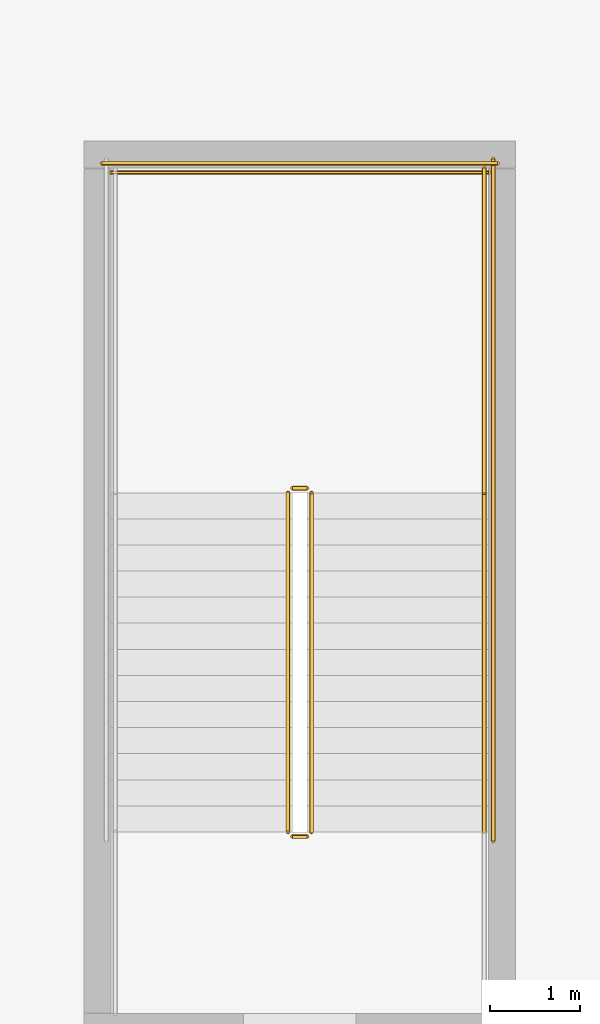
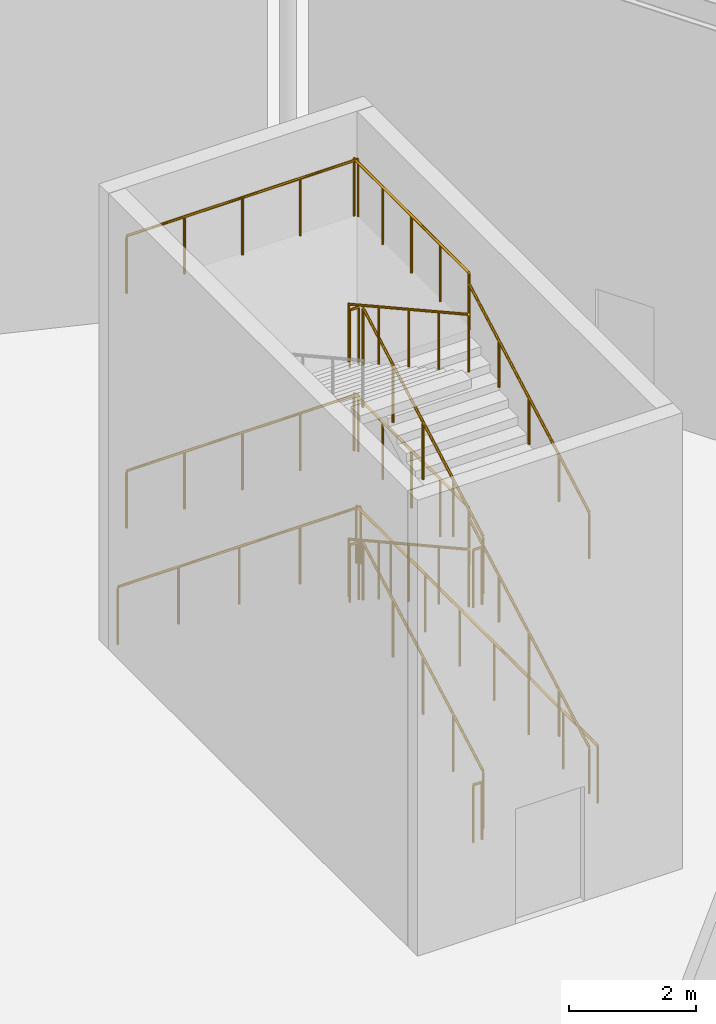
# One storey, part 48 of 48: 16 railings.
"""IFC4 building model written with IfcOpenShell, lengths in metres."""

from ifc_helpers import new_model, si_unit, direction, frame, origin, origin_2d, place, context, subcontext, project, spatial, circle, extrude, material, layer, layer_set, type_object, element, save


model = new_model("IFC4")

# Units and contexts
model_context = context("Model", 3, precision=1e-05, world=origin(), true_north=direction((0.0, 1.0)))
body_context = subcontext(model_context, "Body", "Model", "MODEL_VIEW")
ifc_project = project(units=[si_unit("LENGTHUNIT", "METRE"), si_unit("AREAUNIT", "SQUARE_METRE"), si_unit("VOLUMEUNIT", "CUBIC_METRE"), si_unit("PLANEANGLEUNIT", "RADIAN"), si_unit("MASSUNIT", "GRAM", prefix="KILO")], contexts=[model_context])

# Site, building, storey
site_placement = place(None, origin())
site = spatial("IfcSite", under=ifc_project, at=site_placement, CompositionType="ELEMENT")
building_placement = place(site_placement, origin())
building = spatial("IfcBuilding", under=site, at=building_placement, Name="Sarnbrook Museum", CompositionType="ELEMENT")
storey_placement = place(building_placement, frame((0.0, 0.0, 19.10009765625)))
storey = spatial("IfcBuildingStorey", under=building, at=storey_placement, Name="L04", CompositionType="ELEMENT", Elevation=19.10009765625)

# Railings
ifc_material = material(Name="Brushed Stainless Steel Grade 316", Category="steel")
ifc_layer_1 = layer(ifc_material, 0.050048828125)
ifc_layer_set_1 = layer_set([ifc_layer_1], Name="Brushed Stainless Steel Grade 316")
railing_type_1 = type_object("IfcRailingType", Name="Guard_Int1120", PredefinedType="BALUSTRADE", material=ifc_layer_set_1)
railing_1_placement = place(storey_placement, frame((143.929931640625, 82.52001953125, 0.16064453125)))
element("IfcRailing", 1, at=railing_1_placement, inside=storey, type_object=railing_type_1, Name="L04 ST7 stair guard 1", PredefinedType="BALUSTRADE", context=body_context, shape_type="SweptSolid", body=[
    extrude(circle(Radius=0.02392578125, at=origin_2d()), frame((0.0, 0.0, 1.09619140625), z_axis=(0.0, 0.874659101714, 0.484738543742), x_axis=(-1.0, 0.0, 0.0)), (0.0, 0.0, 1.0), 4.310302734375),
    extrude(circle(Radius=0.02099609375, at=origin_2d()), origin(), (0.0, 0.0, 1.0), 1.072021484375),
    extrude(circle(Radius=0.02099609375, at=origin_2d()), frame((0.0, 0.9423828125, 0.5224609375)), (0.0, 0.0, 1.0), 1.072021484375),
    extrude(circle(Radius=0.02099609375, at=origin_2d()), frame((0.0, 1.885009765625, 1.044677734375)), (0.0, 0.0, 1.0), 1.072021484375),
    extrude(circle(Radius=0.02099609375, at=origin_2d()), frame((0.0, 2.82763671875, 1.56689453125)), (0.0, 0.0, 1.0), 1.072021484375),
    extrude(circle(Radius=0.02099609375, at=origin_2d()), frame((0.0, 3.77001953125, 2.08935546875)), (0.0, 0.0, 1.0), 1.072021484375),
])
railing_2_placement = place(storey_placement, frame((143.8798828125, 86.340087890625, 2.25)))
element("IfcRailing", 2, at=railing_2_placement, inside=storey, type_object=railing_type_1, Name="L04 ST7 stair guard 2", PredefinedType="BALUSTRADE", context=body_context, shape_type="SweptSolid", body=[
    extrude(circle(Radius=0.02392578125, at=origin_2d()), frame((0.0, 0.0, 1.09619140625), z_axis=(-1.0, 0.0, 0.0), x_axis=(0.0, -1.0, 0.0)), (0.0, 0.0, 1.0), 0.159912109375),
    extrude(circle(Radius=0.02099609375, at=origin_2d()), origin(), (0.0, 0.0, 1.0), 1.072021484375),
    extrude(circle(Radius=0.02099609375, at=origin_2d()), frame((-0.159912109375, 0.0, 0.0)), (0.0, 0.0, 1.0), 1.072021484375),
])
railing_3_placement = place(storey_placement, frame((145.85009765625, 86.2900390625, 2.25)))
element("IfcRailing", 3, at=railing_3_placement, inside=storey, type_object=railing_type_1, Name="L04 ST7 stair guard 3", PredefinedType="BALUSTRADE", context=body_context, shape_type="SweptSolid", body=[
    extrude(circle(Radius=0.02392578125, at=origin_2d()), frame((0.0, 0.0, 1.09619140625), z_axis=(0.0, 1.0, 0.0), x_axis=(-1.0, 0.0, 0.0)), (0.0, 0.0, 1.0), 3.60986328125),
    extrude(circle(Radius=0.02099609375, at=origin_2d()), origin(), (0.0, 0.0, 1.0), 1.072021484375),
    extrude(circle(Radius=0.02099609375, at=origin_2d()), frame((0.0, 0.90234375, 0.0)), (0.0, 0.0, 1.0), 1.072021484375),
    extrude(circle(Radius=0.02099609375, at=origin_2d()), frame((0.0, 1.804931640625, 0.0)), (0.0, 0.0, 1.0), 1.072021484375),
    extrude(circle(Radius=0.02099609375, at=origin_2d()), frame((0.0, 2.70751953125, 0.0)), (0.0, 0.0, 1.0), 1.072021484375),
    extrude(circle(Radius=0.02099609375, at=origin_2d()), frame((0.0, 3.60986328125, 0.0)), (0.0, 0.0, 1.0), 1.072021484375),
])
railing_4_placement = place(storey_placement, frame((145.89990234375, 89.85009765625, 2.25)))
element("IfcRailing", 4, at=railing_4_placement, inside=storey, type_object=railing_type_1, Name="L04 ST7 stair guard 5", PredefinedType="BALUSTRADE", context=body_context, shape_type="SweptSolid", body=[
    extrude(circle(Radius=0.02392578125, at=origin_2d()), frame((0.0, 0.0, 1.09619140625), z_axis=(-1.0, 0.0, 0.0), x_axis=(0.0, -1.0, 0.0)), (0.0, 0.0, 1.0), 4.199951171875),
    extrude(circle(Radius=0.02099609375, at=origin_2d()), origin(), (0.0, 0.0, 1.0), 1.072021484375),
    extrude(circle(Radius=0.02099609375, at=origin_2d()), frame((-1.050048828125, 0.0, 0.0)), (0.0, 0.0, 1.0), 1.072021484375),
    extrude(circle(Radius=0.02099609375, at=origin_2d()), frame((-2.10009765625, 0.0, 0.0)), (0.0, 0.0, 1.0), 1.072021484375),
    extrude(circle(Radius=0.02099609375, at=origin_2d()), frame((-3.14990234375, 0.0, 0.0)), (0.0, 0.0, 1.0), 1.072021484375),
    extrude(circle(Radius=0.02099609375, at=origin_2d()), frame((-4.199951171875, 0.0, 0.0)), (0.0, 0.0, 1.0), 1.072021484375),
])
railing_5_placement = place(storey_placement, frame((143.669921875, 86.2900390625, 2.41064453125)))
element("IfcRailing", 5, at=railing_5_placement, inside=storey, type_object=railing_type_1, Name="L04 ST7 stair guard 6", PredefinedType="BALUSTRADE", context=body_context, shape_type="SweptSolid", body=[
    extrude(circle(Radius=0.02392578125, at=origin_2d()), frame((0.0, 0.0, 1.09619140625), z_axis=(0.0, -0.874659101714, 0.484738543742), x_axis=(1.0, 0.0, 0.0)), (0.0, 0.0, 1.0), 4.310302734375),
    extrude(circle(Radius=0.02099609375, at=origin_2d()), origin(), (0.0, 0.0, 1.0), 1.072021484375),
    extrude(circle(Radius=0.02099609375, at=origin_2d()), frame((0.0, -0.9423828125, 0.5224609375)), (0.0, 0.0, 1.0), 1.072021484375),
    extrude(circle(Radius=0.02099609375, at=origin_2d()), frame((0.0, -1.885009765625, 1.044677734375)), (0.0, 0.0, 1.0), 1.072021484375),
    extrude(circle(Radius=0.02099609375, at=origin_2d()), frame((0.0, -2.82763671875, 1.56689453125)), (0.0, 0.0, 1.0), 1.072021484375),
    extrude(circle(Radius=0.02099609375, at=origin_2d()), frame((0.0, -3.77001953125, 2.08935546875)), (0.0, 0.0, 1.0), 1.072021484375),
])
railing_6_placement = place(storey_placement, frame((143.8798828125, 82.469970703125, 4.5)))
element("IfcRailing", 6, at=railing_6_placement, inside=storey, type_object=railing_type_1, Name="L04 ST7 stair guard 7", PredefinedType="BALUSTRADE", context=body_context, shape_type="SweptSolid", body=[
    extrude(circle(Radius=0.02392578125, at=origin_2d()), frame((0.0, 0.0, 1.09619140625), z_axis=(-1.0, 0.0, 0.0), x_axis=(0.0, -1.0, 0.0)), (0.0, 0.0, 1.0), 0.159912109375),
    extrude(circle(Radius=0.02099609375, at=origin_2d()), origin(), (0.0, 0.0, 1.0), 1.072021484375),
    extrude(circle(Radius=0.02099609375, at=origin_2d()), frame((-0.159912109375, 0.0, 0.0)), (0.0, 0.0, 1.0), 1.072021484375),
])
railing_7_placement = place(storey_placement, frame((143.929931640625, 82.52001953125, 4.66064453125)))
element("IfcRailing", 7, at=railing_7_placement, inside=storey, type_object=railing_type_1, Name="L04 ST7 stair guard 10", PredefinedType="BALUSTRADE", context=body_context, shape_type="SweptSolid", body=[
    extrude(circle(Radius=0.02392578125, at=origin_2d()), frame((0.0, 0.0, 1.09619140625), z_axis=(0.0, 0.874659101714, 0.484738543742), x_axis=(-1.0, 0.0, 0.0)), (0.0, 0.0, 1.0), 4.310302734375),
    extrude(circle(Radius=0.02099609375, at=origin_2d()), origin(), (0.0, 0.0, 1.0), 1.072021484375),
    extrude(circle(Radius=0.02099609375, at=origin_2d()), frame((0.0, 0.9423828125, 0.5224609375)), (0.0, 0.0, 1.0), 1.072021484375),
    extrude(circle(Radius=0.02099609375, at=origin_2d()), frame((0.0, 1.885009765625, 1.044677734375)), (0.0, 0.0, 1.0), 1.072021484375),
    extrude(circle(Radius=0.02099609375, at=origin_2d()), frame((0.0, 2.82763671875, 1.56689453125)), (0.0, 0.0, 1.0), 1.072021484375),
    extrude(circle(Radius=0.02099609375, at=origin_2d()), frame((0.0, 3.77001953125, 2.08935546875)), (0.0, 0.0, 1.0), 1.072021484375),
])
railing_8_placement = place(storey_placement, frame((143.8798828125, 86.340087890625, 6.75)))
element("IfcRailing", 8, at=railing_8_placement, inside=storey, type_object=railing_type_1, Name="L04 ST7 stair guard 11", PredefinedType="BALUSTRADE", context=body_context, shape_type="SweptSolid", body=[
    extrude(circle(Radius=0.02392578125, at=origin_2d()), frame((0.0, 0.0, 1.09619140625), z_axis=(-1.0, 0.0, 0.0), x_axis=(0.0, -1.0, 0.0)), (0.0, 0.0, 1.0), 0.159912109375),
    extrude(circle(Radius=0.02099609375, at=origin_2d()), origin(), (0.0, 0.0, 1.0), 1.072021484375),
    extrude(circle(Radius=0.02099609375, at=origin_2d()), frame((-0.159912109375, 0.0, 0.0)), (0.0, 0.0, 1.0), 1.072021484375),
])
railing_9_placement = place(storey_placement, frame((145.85009765625, 86.2900390625, 6.75)))
element("IfcRailing", 9, at=railing_9_placement, inside=storey, type_object=railing_type_1, Name="L04 ST7 stair guard 12", PredefinedType="BALUSTRADE", context=body_context, shape_type="SweptSolid", body=[
    extrude(circle(Radius=0.02392578125, at=origin_2d()), frame((0.0, 0.0, 1.09619140625), z_axis=(0.0, 1.0, 0.0), x_axis=(-1.0, 0.0, 0.0)), (0.0, 0.0, 1.0), 3.60986328125),
    extrude(circle(Radius=0.02099609375, at=origin_2d()), origin(), (0.0, 0.0, 1.0), 1.072021484375),
    extrude(circle(Radius=0.02099609375, at=origin_2d()), frame((0.0, 0.90234375, 0.0)), (0.0, 0.0, 1.0), 1.072021484375),
    extrude(circle(Radius=0.02099609375, at=origin_2d()), frame((0.0, 1.804931640625, 0.0)), (0.0, 0.0, 1.0), 1.072021484375),
    extrude(circle(Radius=0.02099609375, at=origin_2d()), frame((0.0, 2.70751953125, 0.0)), (0.0, 0.0, 1.0), 1.072021484375),
    extrude(circle(Radius=0.02099609375, at=origin_2d()), frame((0.0, 3.60986328125, 0.0)), (0.0, 0.0, 1.0), 1.072021484375),
])
railing_10_placement = place(storey_placement, frame((145.89990234375, 89.85009765625, 6.75)))
element("IfcRailing", 10, at=railing_10_placement, inside=storey, type_object=railing_type_1, Name="L04 ST7 stair guard 14", PredefinedType="BALUSTRADE", context=body_context, shape_type="SweptSolid", body=[
    extrude(circle(Radius=0.02392578125, at=origin_2d()), frame((0.0, 0.0, 1.09619140625), z_axis=(-1.0, 0.0, 0.0), x_axis=(0.0, -1.0, 0.0)), (0.0, 0.0, 1.0), 4.199951171875),
    extrude(circle(Radius=0.02099609375, at=origin_2d()), origin(), (0.0, 0.0, 1.0), 1.072021484375),
    extrude(circle(Radius=0.02099609375, at=origin_2d()), frame((-1.050048828125, 0.0, 0.0)), (0.0, 0.0, 1.0), 1.072021484375),
    extrude(circle(Radius=0.02099609375, at=origin_2d()), frame((-2.10009765625, 0.0, 0.0)), (0.0, 0.0, 1.0), 1.072021484375),
    extrude(circle(Radius=0.02099609375, at=origin_2d()), frame((-3.14990234375, 0.0, 0.0)), (0.0, 0.0, 1.0), 1.072021484375),
    extrude(circle(Radius=0.02099609375, at=origin_2d()), frame((-4.199951171875, 0.0, 0.0)), (0.0, 0.0, 1.0), 1.072021484375),
])
railing_11_placement = place(storey_placement, frame((143.669921875, 86.2900390625, 6.91064453125)))
element("IfcRailing", 11, at=railing_11_placement, inside=storey, type_object=railing_type_1, Name="L04 ST7 stair guard 15", PredefinedType="BALUSTRADE", context=body_context, shape_type="SweptSolid", body=[
    extrude(circle(Radius=0.02392578125, at=origin_2d()), frame((0.0, 0.0, 1.09619140625), z_axis=(0.0, -0.874659101714, 0.484738543742), x_axis=(1.0, 0.0, 0.0)), (0.0, 0.0, 1.0), 4.310302734375),
    extrude(circle(Radius=0.02099609375, at=origin_2d()), origin(), (0.0, 0.0, 1.0), 1.072021484375),
    extrude(circle(Radius=0.02099609375, at=origin_2d()), frame((0.0, -0.9423828125, 0.5224609375)), (0.0, 0.0, 1.0), 1.072021484375),
    extrude(circle(Radius=0.02099609375, at=origin_2d()), frame((0.0, -1.885009765625, 1.044677734375)), (0.0, 0.0, 1.0), 1.072021484375),
    extrude(circle(Radius=0.02099609375, at=origin_2d()), frame((0.0, -2.82763671875, 1.56689453125)), (0.0, 0.0, 1.0), 1.072021484375),
    extrude(circle(Radius=0.02099609375, at=origin_2d()), frame((0.0, -3.77001953125, 2.08935546875)), (0.0, 0.0, 1.0), 1.072021484375),
])
railing_12_placement = place(storey_placement, frame((143.8798828125, 82.469970703125, 0.0)))
element("IfcRailing", 12, at=railing_12_placement, inside=storey, type_object=railing_type_1, Name="L04 ST7 stair guard 16", PredefinedType="BALUSTRADE", context=body_context, shape_type="SweptSolid", body=[
    extrude(circle(Radius=0.02392578125, at=origin_2d()), frame((0.0, 0.0, 1.09619140625), z_axis=(-1.0, 0.0, 0.0), x_axis=(0.0, -1.0, 0.0)), (0.0, 0.0, 1.0), 0.159912109375),
    extrude(circle(Radius=0.02099609375, at=origin_2d()), origin(), (0.0, 0.0, 1.0), 1.072021484375),
    extrude(circle(Radius=0.02099609375, at=origin_2d()), frame((-0.159912109375, 0.0, 0.0)), (0.0, 0.0, 1.0), 1.072021484375),
])
railing_13_placement = place(storey_placement, frame((145.949951171875, 82.419921875, 0.0)))
element("IfcRailing", 13, at=railing_13_placement, inside=storey, type_object=railing_type_1, Name="L04 ST7 stair guard 19", PredefinedType="BALUSTRADE", context=body_context, shape_type="SweptSolid", body=[
    extrude(circle(Radius=0.02392578125, at=origin_2d()), frame((0.0, 0.0, 1.09619140625), z_axis=(0.0, 1.0, 0.0), x_axis=(-1.0, 0.0, 0.0)), (0.0, 0.0, 1.0), 7.580078125),
    extrude(circle(Radius=0.02099609375, at=origin_2d()), origin(), (0.0, 0.0, 1.0), 1.072021484375),
    extrude(circle(Radius=0.02099609375, at=origin_2d()), frame((0.0, 1.082763671875, 0.0)), (0.0, 0.0, 1.0), 1.072021484375),
    extrude(circle(Radius=0.02099609375, at=origin_2d()), frame((0.0, 2.165771484375, 0.0)), (0.0, 0.0, 1.0), 1.072021484375),
    extrude(circle(Radius=0.02099609375, at=origin_2d()), frame((0.0, 3.24853515625, 0.0)), (0.0, 0.0, 1.0), 1.072021484375),
    extrude(circle(Radius=0.02099609375, at=origin_2d()), frame((0.0, 4.33154296875, 0.0)), (0.0, 0.0, 1.0), 1.072021484375),
    extrude(circle(Radius=0.02099609375, at=origin_2d()), frame((0.0, 5.414306640625, 0.0)), (0.0, 0.0, 1.0), 1.072021484375),
    extrude(circle(Radius=0.02099609375, at=origin_2d()), frame((0.0, 6.497314453125, 0.0)), (0.0, 0.0, 1.0), 1.072021484375),
    extrude(circle(Radius=0.02099609375, at=origin_2d()), frame((0.0, 7.580078125, 0.0)), (0.0, 0.0, 1.0), 1.072021484375),
])
railing_14_placement = place(storey_placement, frame((146.0, 89.949951171875, 0.0)))
element("IfcRailing", 14, at=railing_14_placement, inside=storey, type_object=railing_type_1, Name="L04 ST7 stair guard 21", PredefinedType="BALUSTRADE", context=body_context, shape_type="SweptSolid", body=[
    extrude(circle(Radius=0.02392578125, at=origin_2d()), frame((0.0, 0.0, 1.09619140625), z_axis=(-1.0, 0.0, 0.0), x_axis=(0.0, -1.0, 0.0)), (0.0, 0.0, 1.0), 4.39990234375),
    extrude(circle(Radius=0.02099609375, at=origin_2d()), origin(), (0.0, 0.0, 1.0), 1.072021484375),
    extrude(circle(Radius=0.02099609375, at=origin_2d()), frame((-1.10009765625, 0.0, 0.0)), (0.0, 0.0, 1.0), 1.072021484375),
    extrude(circle(Radius=0.02099609375, at=origin_2d()), frame((-2.199951171875, 0.0, 0.0)), (0.0, 0.0, 1.0), 1.072021484375),
    extrude(circle(Radius=0.02099609375, at=origin_2d()), frame((-3.2998046875, 0.0, 0.0)), (0.0, 0.0, 1.0), 1.072021484375),
    extrude(circle(Radius=0.02099609375, at=origin_2d()), frame((-4.39990234375, 0.0, 0.0)), (0.0, 0.0, 1.0), 1.072021484375),
])
ifc_layer_2 = layer(ifc_material, 0.048095703125)
ifc_layer_set_2 = layer_set([ifc_layer_2], Name="Brushed Stainless Steel Grade 316")
railing_type_2 = type_object("IfcRailingType", Name="Handrail_920", PredefinedType="HANDRAIL", material=ifc_layer_set_2)
for number, where, name in (
    (15, (145.85009765625, 82.52001953125, 0.16064453125), "L04 ST7 stair handrail 1"),
    (16, (145.85009765625, 82.52001953125, 4.66064453125), "L04 ST7 stair handrail 3"),
):
    element("IfcRailing", number, at=place(storey_placement, frame(where)), inside=storey, type_object=railing_type_2, Name=name, PredefinedType="HANDRAIL", context=body_context, shape_type="SweptSolid", body=[
        extrude(circle(Radius=0.02392578125, at=origin_2d()), frame((0.0, 0.0, 0.8857421875), z_axis=(0.0, 0.874659101714, 0.484738543742), x_axis=(-1.0, 0.0, 0.0)), (0.0, 0.0, 1.0), 4.310302734375),
        extrude(circle(Radius=0.02099609375, at=origin_2d()), origin(), (0.0, 0.0, 1.0), 0.86181640625),
        extrude(circle(Radius=0.02099609375, at=origin_2d()), frame((0.0, 0.9423828125, 0.5224609375)), (0.0, 0.0, 1.0), 0.86181640625),
        extrude(circle(Radius=0.02099609375, at=origin_2d()), frame((0.0, 1.885009765625, 1.044677734375)), (0.0, 0.0, 1.0), 0.86181640625),
        extrude(circle(Radius=0.02099609375, at=origin_2d()), frame((0.0, 2.82763671875, 1.56689453125)), (0.0, 0.0, 1.0), 0.86181640625),
        extrude(circle(Radius=0.02099609375, at=origin_2d()), frame((0.0, 3.77001953125, 2.08935546875)), (0.0, 0.0, 1.0), 0.86181640625),
    ])

save(model, "model.ifc")
